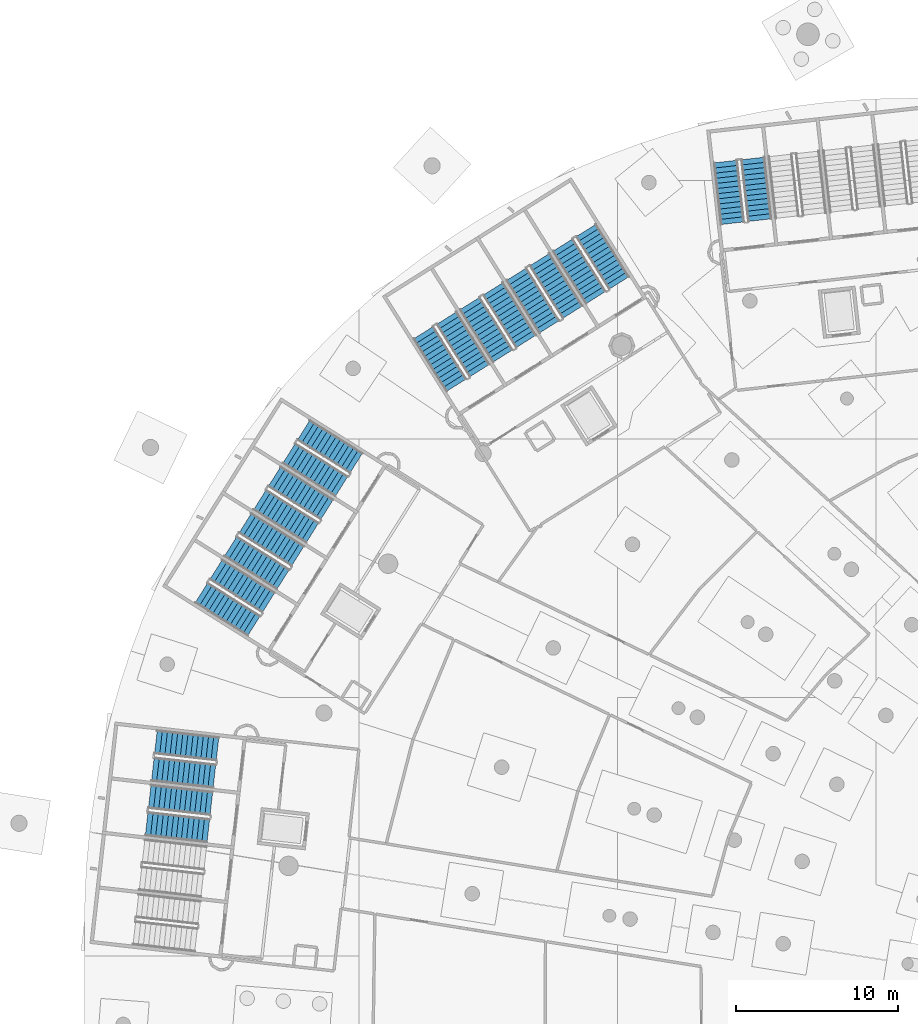
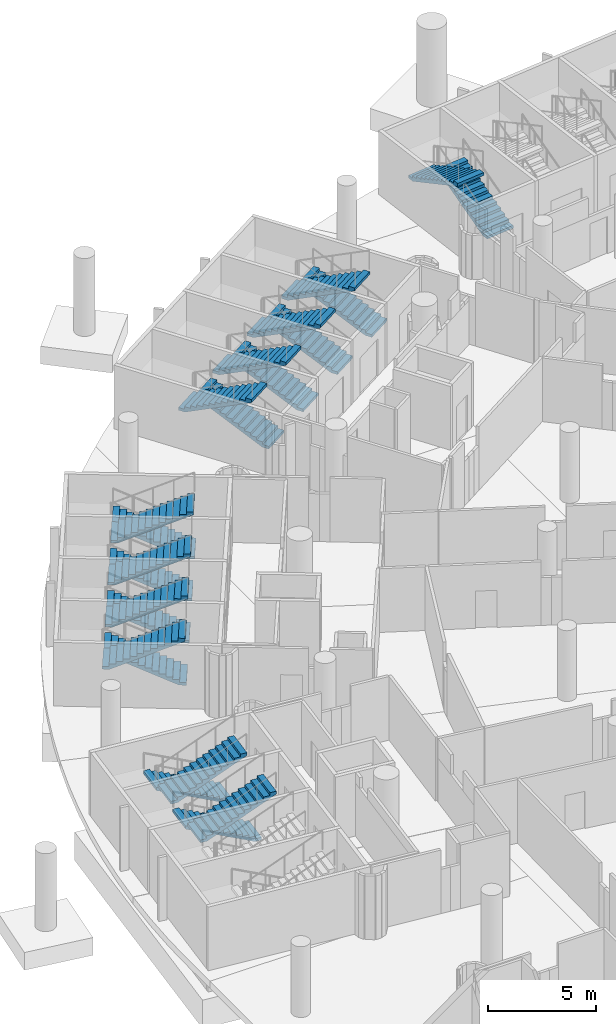
# One storey, part 104 of 142: 22 stair flights, 11 elements without a shape of their own.
"""IFC4 building model written with IfcOpenShell, lengths in metres."""

from ifc_helpers import new_model, si_unit, direction, frame, origin, place, context, subcontext, project, spatial, polyline, outline, extrude, material, type_object, element, aggregate, save


model = new_model("IFC4")

# Units and contexts
model_context = context("Model", 3, precision=1e-05, world=origin(), true_north=direction((0.0, 1.0)))
body_context = subcontext(model_context, "Body", "Model", "MODEL_VIEW")
ifc_project = project(units=[si_unit("LENGTHUNIT", "METRE"), si_unit("AREAUNIT", "SQUARE_METRE"), si_unit("VOLUMEUNIT", "CUBIC_METRE"), si_unit("PLANEANGLEUNIT", "RADIAN"), si_unit("MASSUNIT", "GRAM", prefix="KILO")], contexts=[model_context])

# Site, building, storey
site_placement = place(None, origin())
site = spatial("IfcSite", under=ifc_project, at=site_placement, CompositionType="ELEMENT")
building_placement = place(site_placement, origin())
building = spatial("IfcBuilding", under=site, at=building_placement, Name="Meseta Stadium", CompositionType="ELEMENT")
storey_placement = place(building_placement, frame((0.0, 0.0, -4.0)))
storey = spatial("IfcBuildingStorey", under=building, at=storey_placement, Name="B1", CompositionType="ELEMENT", Elevation=-4.0)

# Stair, stair flights
ifc_material_1 = material(Name="Concrete C40/50", Category="concrete")
stair_type = type_object("IfcStairType", Name="Exit stair 2 flights 154 mm risers", PredefinedType="HALF_TURN_STAIR", material=ifc_material_1)
stair_1_placement = place(storey_placement, origin())
stair_1 = element("IfcStair", 1, at=stair_1_placement, inside=storey, type_object=stair_type, Name="ST48 B1", PredefinedType="HALF_TURN_STAIR")
ifc_material_2 = material(Name="Concrete C40/50", Category="concrete")
stair_flight_type = type_object("IfcStairFlightType", Name="Exit stair flight 154 mm risers, 2 per storey", PredefinedType="STRAIGHT", material=ifc_material_2)
stair_flight_1_placement = place(storey_placement, frame((-55.183349609375, 93.545654296875, 0.0), z_axis=(0.0, 0.0, 1.0), x_axis=(-0.11196446867, 0.993712210731, 0.0)))
stair_flight_1 = element("IfcStairFlight", 2, at=stair_flight_1_placement, type_object=stair_flight_type, Name="ST48 B1 flight 1", NumberOfRisers=13, NumberOfTreads=12, PredefinedType="STRAIGHT", RiserHeight=0.153846154, TreadLength=0.32, context=body_context, shape_type="SweptSolid", body=[
    extrude(outline(polyline([(0.0, 0.0), (0.0, 0.15380859375), (0.320068359375, 0.15380859375), (0.320068359375, 0.3076171875), (0.639892578125, 0.3076171875), (0.639892578125, 0.46142578125), (0.9599609375, 0.46142578125), (0.9599609375, 0.615478515625), (1.280029296875, 0.615478515625), (1.280029296875, 0.769287109375), (1.60009765625, 0.769287109375), (1.60009765625, 0.923095703125), (1.919921875, 0.923095703125), (1.919921875, 1.076904296875), (2.239990234375, 1.076904296875), (2.239990234375, 1.230712890625), (2.56005859375, 1.230712890625), (2.56005859375, 1.384521484375), (2.8798828125, 1.384521484375), (2.8798828125, 1.53857421875), (3.199951171875, 1.53857421875), (3.199951171875, 1.6923828125), (3.52001953125, 1.6923828125), (3.52001953125, 1.84619140625), (3.840087890625, 1.84619140625), (3.840087890625, 1.679931640625), (0.345947265625, 0.0), (0.0, 0.0)])), frame((0.0, 0.75, 0.0), z_axis=(0.0, -1.0, 0.0), x_axis=(1.0, 0.0, 0.0)), (0.0, 0.0, 1.0), 1.5),
])
stair_flight_2_placement = place(storey_placement, frame((-57.302490234375, 97.171142578125, 2.0), z_axis=(0.0, 0.0, 1.0), x_axis=(0.11196446867, -0.993712210731, 0.0)))
stair_flight_2 = element("IfcStairFlight", 3, at=stair_flight_2_placement, type_object=stair_flight_type, Name="ST48 B1 flight 2", NumberOfRisers=13, NumberOfTreads=12, PredefinedType="STRAIGHT", RiserHeight=0.153846154, TreadLength=0.32, context=body_context, shape_type="SweptSolid", body=[
    extrude(outline(polyline([(0.0, 0.0), (0.0, 0.15380859375), (0.320068359375, 0.15380859375), (0.320068359375, 0.3076171875), (0.639892578125, 0.3076171875), (0.639892578125, 0.46142578125), (0.9599609375, 0.46142578125), (0.9599609375, 0.615478515625), (1.280029296875, 0.615478515625), (1.280029296875, 0.769287109375), (1.60009765625, 0.769287109375), (1.60009765625, 0.923095703125), (1.919921875, 0.923095703125), (1.919921875, 1.076904296875), (2.239990234375, 1.076904296875), (2.239990234375, 1.230712890625), (2.56005859375, 1.230712890625), (2.56005859375, 1.384521484375), (2.8798828125, 1.384521484375), (2.8798828125, 1.53857421875), (3.199951171875, 1.53857421875), (3.199951171875, 1.6923828125), (3.52001953125, 1.6923828125), (3.52001953125, 1.84619140625), (3.840087890625, 1.84619140625), (3.840087890625, 1.679931640625), (0.345947265625, 0.0), (0.0, 0.0)])), frame((0.0, 0.75, 0.0), z_axis=(0.0, -1.0, 0.0), x_axis=(1.0, 0.0, 0.0)), (0.0, 0.0, 1.0), 1.5),
])
aggregate(stair_1, [stair_flight_1, stair_flight_2])

stair_2_placement = place(storey_placement, origin())
stair_2 = element("IfcStair", 4, at=stair_2_placement, inside=storey, type_object=stair_type, Name="ST49 B1", PredefinedType="HALF_TURN_STAIR")
stair_flight_3_placement = place(storey_placement, frame((-63.892578125, 89.659423828125, 0.0), z_axis=(0.0, 0.0, 1.0), x_axis=(-0.532032074404, 0.846724200555, 0.0)))
stair_flight_3 = element("IfcStairFlight", 5, at=stair_flight_3_placement, type_object=stair_flight_type, Name="ST49 B1 flight 1", NumberOfRisers=13, NumberOfTreads=12, PredefinedType="STRAIGHT", RiserHeight=0.153846154, TreadLength=0.32, context=body_context, shape_type="SweptSolid", body=[
    extrude(outline(polyline([(0.0, 0.0), (0.0, 0.15380859375), (0.320068359375, 0.15380859375), (0.320068359375, 0.3076171875), (0.639892578125, 0.3076171875), (0.639892578125, 0.46142578125), (0.9599609375, 0.46142578125), (0.9599609375, 0.615478515625), (1.280029296875, 0.615478515625), (1.280029296875, 0.769287109375), (1.60009765625, 0.769287109375), (1.60009765625, 0.923095703125), (1.919921875, 0.923095703125), (1.919921875, 1.076904296875), (2.239990234375, 1.076904296875), (2.239990234375, 1.230712890625), (2.56005859375, 1.230712890625), (2.56005859375, 1.384521484375), (2.8798828125, 1.384521484375), (2.8798828125, 1.53857421875), (3.199951171875, 1.53857421875), (3.199951171875, 1.6923828125), (3.52001953125, 1.6923828125), (3.52001953125, 1.84619140625), (3.840087890625, 1.84619140625), (3.840087890625, 1.679931640625), (0.345947265625, 0.0), (0.0, 0.0)])), frame((0.0, 0.75, 0.0), z_axis=(0.0, -1.0, 0.0), x_axis=(1.0, 0.0, 0.0)), (0.0, 0.0, 1.0), 1.5),
])
stair_flight_4_placement = place(storey_placement, frame((-67.375, 92.00634765625, 2.0), z_axis=(0.0, 0.0, 1.0), x_axis=(0.532032074404, -0.846724200555, 0.0)))
stair_flight_4 = element("IfcStairFlight", 6, at=stair_flight_4_placement, type_object=stair_flight_type, Name="ST49 B1 flight 2", NumberOfRisers=13, NumberOfTreads=12, PredefinedType="STRAIGHT", RiserHeight=0.153846154, TreadLength=0.32, context=body_context, shape_type="SweptSolid", body=[
    extrude(outline(polyline([(0.0, 0.0), (0.0, 0.15380859375), (0.320068359375, 0.15380859375), (0.320068359375, 0.3076171875), (0.639892578125, 0.3076171875), (0.639892578125, 0.46142578125), (0.9599609375, 0.46142578125), (0.9599609375, 0.615478515625), (1.280029296875, 0.615478515625), (1.280029296875, 0.769287109375), (1.60009765625, 0.769287109375), (1.60009765625, 0.923095703125), (1.919921875, 0.923095703125), (1.919921875, 1.076904296875), (2.239990234375, 1.076904296875), (2.239990234375, 1.230712890625), (2.56005859375, 1.230712890625), (2.56005859375, 1.384521484375), (2.8798828125, 1.384521484375), (2.8798828125, 1.53857421875), (3.199951171875, 1.53857421875), (3.199951171875, 1.6923828125), (3.52001953125, 1.6923828125), (3.52001953125, 1.84619140625), (3.840087890625, 1.84619140625), (3.840087890625, 1.679931640625), (0.345947265625, 0.0), (0.0, 0.0)])), frame((0.0, 0.75, 0.0), z_axis=(0.0, -1.0, 0.0), x_axis=(1.0, 0.0, 0.0)), (0.0, 0.0, 1.0), 1.5),
])
aggregate(stair_2, [stair_flight_3, stair_flight_4])

stair_3_placement = place(storey_placement, origin())
stair_3 = element("IfcStair", 7, at=stair_3_placement, inside=storey, type_object=stair_type, Name="ST50 B1", PredefinedType="HALF_TURN_STAIR")
stair_flight_5_placement = place(storey_placement, frame((-66.771484375, 87.8505859375, 0.0), z_axis=(0.0, 0.0, 1.0), x_axis=(-0.532032074404, 0.846724200555, 0.0)))
stair_flight_5 = element("IfcStairFlight", 8, at=stair_flight_5_placement, type_object=stair_flight_type, Name="ST50 B1 flight 1", NumberOfRisers=13, NumberOfTreads=12, PredefinedType="STRAIGHT", RiserHeight=0.153846154, TreadLength=0.32, context=body_context, shape_type="SweptSolid", body=[
    extrude(outline(polyline([(0.0, 0.0), (0.0, 0.15380859375), (0.320068359375, 0.15380859375), (0.320068359375, 0.3076171875), (0.639892578125, 0.3076171875), (0.639892578125, 0.46142578125), (0.9599609375, 0.46142578125), (0.9599609375, 0.615478515625), (1.280029296875, 0.615478515625), (1.280029296875, 0.769287109375), (1.60009765625, 0.769287109375), (1.60009765625, 0.923095703125), (1.919921875, 0.923095703125), (1.919921875, 1.076904296875), (2.239990234375, 1.076904296875), (2.239990234375, 1.230712890625), (2.56005859375, 1.230712890625), (2.56005859375, 1.384521484375), (2.8798828125, 1.384521484375), (2.8798828125, 1.53857421875), (3.199951171875, 1.53857421875), (3.199951171875, 1.6923828125), (3.52001953125, 1.6923828125), (3.52001953125, 1.84619140625), (3.840087890625, 1.84619140625), (3.840087890625, 1.679931640625), (0.345947265625, 0.0), (0.0, 0.0)])), frame((0.0, 0.75, 0.0), z_axis=(0.0, -1.0, 0.0), x_axis=(1.0, 0.0, 0.0)), (0.0, 0.0, 1.0), 1.5),
])
stair_flight_6_placement = place(storey_placement, frame((-70.25390625, 90.197509765625, 2.0), z_axis=(0.0, 0.0, 1.0), x_axis=(0.532032074404, -0.846724200555, 0.0)))
stair_flight_6 = element("IfcStairFlight", 9, at=stair_flight_6_placement, type_object=stair_flight_type, Name="ST50 B1 flight 2", NumberOfRisers=13, NumberOfTreads=12, PredefinedType="STRAIGHT", RiserHeight=0.153846154, TreadLength=0.32, context=body_context, shape_type="SweptSolid", body=[
    extrude(outline(polyline([(0.0, 0.0), (0.0, 0.15380859375), (0.320068359375, 0.15380859375), (0.320068359375, 0.3076171875), (0.639892578125, 0.3076171875), (0.639892578125, 0.46142578125), (0.9599609375, 0.46142578125), (0.9599609375, 0.615478515625), (1.280029296875, 0.615478515625), (1.280029296875, 0.769287109375), (1.60009765625, 0.769287109375), (1.60009765625, 0.923095703125), (1.919921875, 0.923095703125), (1.919921875, 1.076904296875), (2.239990234375, 1.076904296875), (2.239990234375, 1.230712890625), (2.56005859375, 1.230712890625), (2.56005859375, 1.384521484375), (2.8798828125, 1.384521484375), (2.8798828125, 1.53857421875), (3.199951171875, 1.53857421875), (3.199951171875, 1.6923828125), (3.52001953125, 1.6923828125), (3.52001953125, 1.84619140625), (3.840087890625, 1.84619140625), (3.840087890625, 1.679931640625), (0.345947265625, 0.0), (0.0, 0.0)])), frame((0.0, 0.75, 0.0), z_axis=(0.0, -1.0, 0.0), x_axis=(1.0, 0.0, 0.0)), (0.0, 0.0, 1.0), 1.5),
])
aggregate(stair_3, [stair_flight_5, stair_flight_6])

stair_4_placement = place(storey_placement, origin())
stair_4 = element("IfcStair", 10, at=stair_4_placement, inside=storey, type_object=stair_type, Name="ST51 B1", PredefinedType="HALF_TURN_STAIR")
stair_flight_7_placement = place(storey_placement, frame((-69.650390625, 86.04150390625, 0.0), z_axis=(0.0, 0.0, 1.0), x_axis=(-0.532032074404, 0.846724200555, 0.0)))
stair_flight_7 = element("IfcStairFlight", 11, at=stair_flight_7_placement, type_object=stair_flight_type, Name="ST51 B1 flight 1", NumberOfRisers=13, NumberOfTreads=12, PredefinedType="STRAIGHT", RiserHeight=0.153846154, TreadLength=0.32, context=body_context, shape_type="SweptSolid", body=[
    extrude(outline(polyline([(0.0, 0.0), (0.0, 0.15380859375), (0.320068359375, 0.15380859375), (0.320068359375, 0.3076171875), (0.639892578125, 0.3076171875), (0.639892578125, 0.46142578125), (0.9599609375, 0.46142578125), (0.9599609375, 0.615478515625), (1.280029296875, 0.615478515625), (1.280029296875, 0.769287109375), (1.60009765625, 0.769287109375), (1.60009765625, 0.923095703125), (1.919921875, 0.923095703125), (1.919921875, 1.076904296875), (2.239990234375, 1.076904296875), (2.239990234375, 1.230712890625), (2.56005859375, 1.230712890625), (2.56005859375, 1.384521484375), (2.8798828125, 1.384521484375), (2.8798828125, 1.53857421875), (3.199951171875, 1.53857421875), (3.199951171875, 1.6923828125), (3.52001953125, 1.6923828125), (3.52001953125, 1.84619140625), (3.840087890625, 1.84619140625), (3.840087890625, 1.679931640625), (0.345947265625, 0.0), (0.0, 0.0)])), frame((0.0, 0.75, 0.0), z_axis=(0.0, -1.0, 0.0), x_axis=(1.0, 0.0, 0.0)), (0.0, 0.0, 1.0), 1.5),
])
stair_flight_8_placement = place(storey_placement, frame((-73.1328125, 88.388671875, 2.0), z_axis=(0.0, 0.0, 1.0), x_axis=(0.532032074404, -0.846724200555, 0.0)))
stair_flight_8 = element("IfcStairFlight", 12, at=stair_flight_8_placement, type_object=stair_flight_type, Name="ST51 B1 flight 2", NumberOfRisers=13, NumberOfTreads=12, PredefinedType="STRAIGHT", RiserHeight=0.153846154, TreadLength=0.32, context=body_context, shape_type="SweptSolid", body=[
    extrude(outline(polyline([(0.0, 0.0), (0.0, 0.15380859375), (0.320068359375, 0.15380859375), (0.320068359375, 0.3076171875), (0.639892578125, 0.3076171875), (0.639892578125, 0.46142578125), (0.9599609375, 0.46142578125), (0.9599609375, 0.615478515625), (1.280029296875, 0.615478515625), (1.280029296875, 0.769287109375), (1.60009765625, 0.769287109375), (1.60009765625, 0.923095703125), (1.919921875, 0.923095703125), (1.919921875, 1.076904296875), (2.239990234375, 1.076904296875), (2.239990234375, 1.230712890625), (2.56005859375, 1.230712890625), (2.56005859375, 1.384521484375), (2.8798828125, 1.384521484375), (2.8798828125, 1.53857421875), (3.199951171875, 1.53857421875), (3.199951171875, 1.6923828125), (3.52001953125, 1.6923828125), (3.52001953125, 1.84619140625), (3.840087890625, 1.84619140625), (3.840087890625, 1.679931640625), (0.345947265625, 0.0), (0.0, 0.0)])), frame((0.0, 0.75, 0.0), z_axis=(0.0, -1.0, 0.0), x_axis=(1.0, 0.0, 0.0)), (0.0, 0.0, 1.0), 1.5),
])
aggregate(stair_4, [stair_flight_7, stair_flight_8])

stair_5_placement = place(storey_placement, origin())
stair_5 = element("IfcStair", 13, at=stair_5_placement, inside=storey, type_object=stair_type, Name="ST52 B1", PredefinedType="HALF_TURN_STAIR")
stair_flight_9_placement = place(storey_placement, frame((-72.529052734375, 84.232666015625, 0.0), z_axis=(0.0, 0.0, 1.0), x_axis=(-0.532032074404, 0.846724200555, 0.0)))
stair_flight_9 = element("IfcStairFlight", 14, at=stair_flight_9_placement, type_object=stair_flight_type, Name="ST52 B1 flight 1", NumberOfRisers=13, NumberOfTreads=12, PredefinedType="STRAIGHT", RiserHeight=0.153846154, TreadLength=0.32, context=body_context, shape_type="SweptSolid", body=[
    extrude(outline(polyline([(0.0, 0.0), (0.0, 0.15380859375), (0.320068359375, 0.15380859375), (0.320068359375, 0.3076171875), (0.639892578125, 0.3076171875), (0.639892578125, 0.46142578125), (0.9599609375, 0.46142578125), (0.9599609375, 0.615478515625), (1.280029296875, 0.615478515625), (1.280029296875, 0.769287109375), (1.60009765625, 0.769287109375), (1.60009765625, 0.923095703125), (1.919921875, 0.923095703125), (1.919921875, 1.076904296875), (2.239990234375, 1.076904296875), (2.239990234375, 1.230712890625), (2.56005859375, 1.230712890625), (2.56005859375, 1.384521484375), (2.8798828125, 1.384521484375), (2.8798828125, 1.53857421875), (3.199951171875, 1.53857421875), (3.199951171875, 1.6923828125), (3.52001953125, 1.6923828125), (3.52001953125, 1.84619140625), (3.840087890625, 1.84619140625), (3.840087890625, 1.679931640625), (0.345947265625, 0.0), (0.0, 0.0)])), frame((0.0, 0.75, 0.0), z_axis=(0.0, -1.0, 0.0), x_axis=(1.0, 0.0, 0.0)), (0.0, 0.0, 1.0), 1.5),
])
stair_flight_10_placement = place(storey_placement, frame((-76.011474609375, 86.57958984375, 2.0), z_axis=(0.0, 0.0, 1.0), x_axis=(0.532032074404, -0.846724200555, 0.0)))
stair_flight_10 = element("IfcStairFlight", 15, at=stair_flight_10_placement, type_object=stair_flight_type, Name="ST52 B1 flight 2", NumberOfRisers=13, NumberOfTreads=12, PredefinedType="STRAIGHT", RiserHeight=0.153846154, TreadLength=0.32, context=body_context, shape_type="SweptSolid", body=[
    extrude(outline(polyline([(0.0, 0.0), (0.0, 0.15380859375), (0.320068359375, 0.15380859375), (0.320068359375, 0.3076171875), (0.639892578125, 0.3076171875), (0.639892578125, 0.46142578125), (0.9599609375, 0.46142578125), (0.9599609375, 0.615478515625), (1.280029296875, 0.615478515625), (1.280029296875, 0.769287109375), (1.60009765625, 0.769287109375), (1.60009765625, 0.923095703125), (1.919921875, 0.923095703125), (1.919921875, 1.076904296875), (2.239990234375, 1.076904296875), (2.239990234375, 1.230712890625), (2.56005859375, 1.230712890625), (2.56005859375, 1.384521484375), (2.8798828125, 1.384521484375), (2.8798828125, 1.53857421875), (3.199951171875, 1.53857421875), (3.199951171875, 1.6923828125), (3.52001953125, 1.6923828125), (3.52001953125, 1.84619140625), (3.840087890625, 1.84619140625), (3.840087890625, 1.679931640625), (0.345947265625, 0.0), (0.0, 0.0)])), frame((0.0, 0.75, 0.0), z_axis=(0.0, -1.0, 0.0), x_axis=(1.0, 0.0, 0.0)), (0.0, 0.0, 1.0), 1.5),
])
aggregate(stair_5, [stair_flight_9, stair_flight_10])

stair_6_placement = place(storey_placement, origin())
stair_6 = element("IfcStair", 16, at=stair_6_placement, inside=storey, type_object=stair_type, Name="ST53 B1", PredefinedType="HALF_TURN_STAIR")
stair_flight_11_placement = place(storey_placement, frame((-80.175048828125, 78.500732421875, 0.0), z_axis=(0.0, 0.0, 1.0), x_axis=(-0.846724200555, 0.532032074404, 0.0)))
stair_flight_11 = element("IfcStairFlight", 17, at=stair_flight_11_placement, type_object=stair_flight_type, Name="ST53 B1 flight 1", NumberOfRisers=13, NumberOfTreads=12, PredefinedType="STRAIGHT", RiserHeight=0.153846154, TreadLength=0.32, context=body_context, shape_type="SweptSolid", body=[
    extrude(outline(polyline([(0.0, 0.0), (0.0, 0.15380859375), (0.320068359375, 0.15380859375), (0.320068359375, 0.3076171875), (0.639892578125, 0.3076171875), (0.639892578125, 0.46142578125), (0.9599609375, 0.46142578125), (0.9599609375, 0.615478515625), (1.280029296875, 0.615478515625), (1.280029296875, 0.769287109375), (1.60009765625, 0.769287109375), (1.60009765625, 0.923095703125), (1.919921875, 0.923095703125), (1.919921875, 1.076904296875), (2.239990234375, 1.076904296875), (2.239990234375, 1.230712890625), (2.56005859375, 1.230712890625), (2.56005859375, 1.384521484375), (2.8798828125, 1.384521484375), (2.8798828125, 1.53857421875), (3.199951171875, 1.53857421875), (3.199951171875, 1.6923828125), (3.52001953125, 1.6923828125), (3.52001953125, 1.84619140625), (3.840087890625, 1.84619140625), (3.840087890625, 1.679931640625), (0.345947265625, 0.0), (0.0, 0.0)])), frame((0.0, 0.75, 0.0), z_axis=(0.0, -1.0, 0.0), x_axis=(1.0, 0.0, 0.0)), (0.0, 0.0, 1.0), 1.5),
])
stair_flight_12_placement = place(storey_placement, frame((-84.330810546875, 79.104248046875, 2.0), z_axis=(0.0, 0.0, 1.0), x_axis=(0.846724200555, -0.532032074404, 0.0)))
stair_flight_12 = element("IfcStairFlight", 18, at=stair_flight_12_placement, type_object=stair_flight_type, Name="ST53 B1 flight 2", NumberOfRisers=13, NumberOfTreads=12, PredefinedType="STRAIGHT", RiserHeight=0.153846154, TreadLength=0.32, context=body_context, shape_type="SweptSolid", body=[
    extrude(outline(polyline([(0.0, 0.0), (0.0, 0.15380859375), (0.320068359375, 0.15380859375), (0.320068359375, 0.3076171875), (0.639892578125, 0.3076171875), (0.639892578125, 0.46142578125), (0.9599609375, 0.46142578125), (0.9599609375, 0.615478515625), (1.280029296875, 0.615478515625), (1.280029296875, 0.769287109375), (1.60009765625, 0.769287109375), (1.60009765625, 0.923095703125), (1.919921875, 0.923095703125), (1.919921875, 1.076904296875), (2.239990234375, 1.076904296875), (2.239990234375, 1.230712890625), (2.56005859375, 1.230712890625), (2.56005859375, 1.384521484375), (2.8798828125, 1.384521484375), (2.8798828125, 1.53857421875), (3.199951171875, 1.53857421875), (3.199951171875, 1.6923828125), (3.52001953125, 1.6923828125), (3.52001953125, 1.84619140625), (3.840087890625, 1.84619140625), (3.840087890625, 1.679931640625), (0.345947265625, 0.0), (0.0, 0.0)])), frame((0.0, 0.75, 0.0), z_axis=(0.0, -1.0, 0.0), x_axis=(1.0, 0.0, 0.0)), (0.0, 0.0, 1.0), 1.5),
])
aggregate(stair_6, [stair_flight_11, stair_flight_12])

stair_7_placement = place(storey_placement, origin())
stair_7 = element("IfcStair", 19, at=stair_7_placement, inside=storey, type_object=stair_type, Name="ST54 B1", PredefinedType="HALF_TURN_STAIR")
stair_flight_13_placement = place(storey_placement, frame((-81.98388671875, 75.621826171875, 0.0), z_axis=(0.0, 0.0, 1.0), x_axis=(-0.846724200555, 0.532032074404, 0.0)))
stair_flight_13 = element("IfcStairFlight", 20, at=stair_flight_13_placement, type_object=stair_flight_type, Name="ST54 B1 flight 1", NumberOfRisers=13, NumberOfTreads=12, PredefinedType="STRAIGHT", RiserHeight=0.153846154, TreadLength=0.32, context=body_context, shape_type="SweptSolid", body=[
    extrude(outline(polyline([(0.0, 0.0), (0.0, 0.15380859375), (0.320068359375, 0.15380859375), (0.320068359375, 0.3076171875), (0.639892578125, 0.3076171875), (0.639892578125, 0.46142578125), (0.9599609375, 0.46142578125), (0.9599609375, 0.615478515625), (1.280029296875, 0.615478515625), (1.280029296875, 0.769287109375), (1.60009765625, 0.769287109375), (1.60009765625, 0.923095703125), (1.919921875, 0.923095703125), (1.919921875, 1.076904296875), (2.239990234375, 1.076904296875), (2.239990234375, 1.230712890625), (2.56005859375, 1.230712890625), (2.56005859375, 1.384521484375), (2.8798828125, 1.384521484375), (2.8798828125, 1.53857421875), (3.199951171875, 1.53857421875), (3.199951171875, 1.6923828125), (3.52001953125, 1.6923828125), (3.52001953125, 1.84619140625), (3.840087890625, 1.84619140625), (3.840087890625, 1.679931640625), (0.345947265625, 0.0), (0.0, 0.0)])), frame((0.0, 0.75, 0.0), z_axis=(0.0, -1.0, 0.0), x_axis=(1.0, 0.0, 0.0)), (0.0, 0.0, 1.0), 1.5),
])
stair_flight_14_placement = place(storey_placement, frame((-86.1396484375, 76.225341796875, 2.0), z_axis=(0.0, 0.0, 1.0), x_axis=(0.846724200555, -0.532032074404, 0.0)))
stair_flight_14 = element("IfcStairFlight", 21, at=stair_flight_14_placement, type_object=stair_flight_type, Name="ST54 B1 flight 2", NumberOfRisers=13, NumberOfTreads=12, PredefinedType="STRAIGHT", RiserHeight=0.153846154, TreadLength=0.32, context=body_context, shape_type="SweptSolid", body=[
    extrude(outline(polyline([(0.0, 0.0), (0.0, 0.15380859375), (0.320068359375, 0.15380859375), (0.320068359375, 0.3076171875), (0.639892578125, 0.3076171875), (0.639892578125, 0.46142578125), (0.9599609375, 0.46142578125), (0.9599609375, 0.615478515625), (1.280029296875, 0.615478515625), (1.280029296875, 0.769287109375), (1.60009765625, 0.769287109375), (1.60009765625, 0.923095703125), (1.919921875, 0.923095703125), (1.919921875, 1.076904296875), (2.239990234375, 1.076904296875), (2.239990234375, 1.230712890625), (2.56005859375, 1.230712890625), (2.56005859375, 1.384521484375), (2.8798828125, 1.384521484375), (2.8798828125, 1.53857421875), (3.199951171875, 1.53857421875), (3.199951171875, 1.6923828125), (3.52001953125, 1.6923828125), (3.52001953125, 1.84619140625), (3.840087890625, 1.84619140625), (3.840087890625, 1.679931640625), (0.345947265625, 0.0), (0.0, 0.0)])), frame((0.0, 0.75, 0.0), z_axis=(0.0, -1.0, 0.0), x_axis=(1.0, 0.0, 0.0)), (0.0, 0.0, 1.0), 1.5),
])
aggregate(stair_7, [stair_flight_13, stair_flight_14])

stair_8_placement = place(storey_placement, origin())
stair_8 = element("IfcStair", 22, at=stair_8_placement, inside=storey, type_object=stair_type, Name="ST55 B1", PredefinedType="HALF_TURN_STAIR")
stair_flight_15_placement = place(storey_placement, frame((-83.792724609375, 72.742919921875, 0.0), z_axis=(0.0, 0.0, 1.0), x_axis=(-0.846724200555, 0.532032074404, 0.0)))
stair_flight_15 = element("IfcStairFlight", 23, at=stair_flight_15_placement, type_object=stair_flight_type, Name="ST55 B1 flight 1", NumberOfRisers=13, NumberOfTreads=12, PredefinedType="STRAIGHT", RiserHeight=0.153846154, TreadLength=0.32, context=body_context, shape_type="SweptSolid", body=[
    extrude(outline(polyline([(0.0, 0.0), (0.0, 0.15380859375), (0.320068359375, 0.15380859375), (0.320068359375, 0.3076171875), (0.639892578125, 0.3076171875), (0.639892578125, 0.46142578125), (0.9599609375, 0.46142578125), (0.9599609375, 0.615478515625), (1.280029296875, 0.615478515625), (1.280029296875, 0.769287109375), (1.60009765625, 0.769287109375), (1.60009765625, 0.923095703125), (1.919921875, 0.923095703125), (1.919921875, 1.076904296875), (2.239990234375, 1.076904296875), (2.239990234375, 1.230712890625), (2.56005859375, 1.230712890625), (2.56005859375, 1.384521484375), (2.8798828125, 1.384521484375), (2.8798828125, 1.53857421875), (3.199951171875, 1.53857421875), (3.199951171875, 1.6923828125), (3.52001953125, 1.6923828125), (3.52001953125, 1.84619140625), (3.840087890625, 1.84619140625), (3.840087890625, 1.679931640625), (0.345947265625, 0.0), (0.0, 0.0)])), frame((0.0, 0.75, 0.0), z_axis=(0.0, -1.0, 0.0), x_axis=(1.0, 0.0, 0.0)), (0.0, 0.0, 1.0), 1.5),
])
stair_flight_16_placement = place(storey_placement, frame((-87.94873046875, 73.346435546875, 2.0), z_axis=(0.0, 0.0, 1.0), x_axis=(0.846724200555, -0.532032074404, 0.0)))
stair_flight_16 = element("IfcStairFlight", 24, at=stair_flight_16_placement, type_object=stair_flight_type, Name="ST55 B1 flight 2", NumberOfRisers=13, NumberOfTreads=12, PredefinedType="STRAIGHT", RiserHeight=0.153846154, TreadLength=0.32, context=body_context, shape_type="SweptSolid", body=[
    extrude(outline(polyline([(0.0, 0.0), (0.0, 0.15380859375), (0.320068359375, 0.15380859375), (0.320068359375, 0.3076171875), (0.639892578125, 0.3076171875), (0.639892578125, 0.46142578125), (0.9599609375, 0.46142578125), (0.9599609375, 0.615478515625), (1.280029296875, 0.615478515625), (1.280029296875, 0.769287109375), (1.60009765625, 0.769287109375), (1.60009765625, 0.923095703125), (1.919921875, 0.923095703125), (1.919921875, 1.076904296875), (2.239990234375, 1.076904296875), (2.239990234375, 1.230712890625), (2.56005859375, 1.230712890625), (2.56005859375, 1.384521484375), (2.8798828125, 1.384521484375), (2.8798828125, 1.53857421875), (3.199951171875, 1.53857421875), (3.199951171875, 1.6923828125), (3.52001953125, 1.6923828125), (3.52001953125, 1.84619140625), (3.840087890625, 1.84619140625), (3.840087890625, 1.679931640625), (0.345947265625, 0.0), (0.0, 0.0)])), frame((0.0, 0.75, 0.0), z_axis=(0.0, -1.0, 0.0), x_axis=(1.0, 0.0, 0.0)), (0.0, 0.0, 1.0), 1.5),
])
aggregate(stair_8, [stair_flight_15, stair_flight_16])

stair_9_placement = place(storey_placement, origin())
stair_9 = element("IfcStair", 25, at=stair_9_placement, inside=storey, type_object=stair_type, Name="ST56 B1", PredefinedType="HALF_TURN_STAIR")
stair_flight_17_placement = place(storey_placement, frame((-85.6015625, 69.864013671875, 0.0), z_axis=(0.0, 0.0, 1.0), x_axis=(-0.846724200555, 0.532032074404, 0.0)))
stair_flight_17 = element("IfcStairFlight", 26, at=stair_flight_17_placement, type_object=stair_flight_type, Name="ST56 B1 flight 1", NumberOfRisers=13, NumberOfTreads=12, PredefinedType="STRAIGHT", RiserHeight=0.153846154, TreadLength=0.32, context=body_context, shape_type="SweptSolid", body=[
    extrude(outline(polyline([(0.0, 0.0), (0.0, 0.15380859375), (0.320068359375, 0.15380859375), (0.320068359375, 0.3076171875), (0.639892578125, 0.3076171875), (0.639892578125, 0.46142578125), (0.9599609375, 0.46142578125), (0.9599609375, 0.615478515625), (1.280029296875, 0.615478515625), (1.280029296875, 0.769287109375), (1.60009765625, 0.769287109375), (1.60009765625, 0.923095703125), (1.919921875, 0.923095703125), (1.919921875, 1.076904296875), (2.239990234375, 1.076904296875), (2.239990234375, 1.230712890625), (2.56005859375, 1.230712890625), (2.56005859375, 1.384521484375), (2.8798828125, 1.384521484375), (2.8798828125, 1.53857421875), (3.199951171875, 1.53857421875), (3.199951171875, 1.6923828125), (3.52001953125, 1.6923828125), (3.52001953125, 1.84619140625), (3.840087890625, 1.84619140625), (3.840087890625, 1.679931640625), (0.345947265625, 0.0), (0.0, 0.0)])), frame((0.0, 0.75, 0.0), z_axis=(0.0, -1.0, 0.0), x_axis=(1.0, 0.0, 0.0)), (0.0, 0.0, 1.0), 1.5),
])
stair_flight_18_placement = place(storey_placement, frame((-89.757568359375, 70.467529296875, 2.0), z_axis=(0.0, 0.0, 1.0), x_axis=(0.846724200555, -0.532032074404, 0.0)))
stair_flight_18 = element("IfcStairFlight", 27, at=stair_flight_18_placement, type_object=stair_flight_type, Name="ST56 B1 flight 2", NumberOfRisers=13, NumberOfTreads=12, PredefinedType="STRAIGHT", RiserHeight=0.153846154, TreadLength=0.32, context=body_context, shape_type="SweptSolid", body=[
    extrude(outline(polyline([(0.0, 0.0), (0.0, 0.15380859375), (0.320068359375, 0.15380859375), (0.320068359375, 0.3076171875), (0.639892578125, 0.3076171875), (0.639892578125, 0.46142578125), (0.9599609375, 0.46142578125), (0.9599609375, 0.615478515625), (1.280029296875, 0.615478515625), (1.280029296875, 0.769287109375), (1.60009765625, 0.769287109375), (1.60009765625, 0.923095703125), (1.919921875, 0.923095703125), (1.919921875, 1.076904296875), (2.239990234375, 1.076904296875), (2.239990234375, 1.230712890625), (2.56005859375, 1.230712890625), (2.56005859375, 1.384521484375), (2.8798828125, 1.384521484375), (2.8798828125, 1.53857421875), (3.199951171875, 1.53857421875), (3.199951171875, 1.6923828125), (3.52001953125, 1.6923828125), (3.52001953125, 1.84619140625), (3.840087890625, 1.84619140625), (3.840087890625, 1.679931640625), (0.345947265625, 0.0), (0.0, 0.0)])), frame((0.0, 0.75, 0.0), z_axis=(0.0, -1.0, 0.0), x_axis=(1.0, 0.0, 0.0)), (0.0, 0.0, 1.0), 1.5),
])
aggregate(stair_9, [stair_flight_17, stair_flight_18])

stair_10_placement = place(storey_placement, origin())
stair_10 = element("IfcStair", 28, at=stair_10_placement, inside=storey, type_object=stair_type, Name="ST57 B1", PredefinedType="HALF_TURN_STAIR")
stair_flight_19_placement = place(storey_placement, frame((-88.759033203125, 60.805419921875, 0.0), z_axis=(0.0, 0.0, 1.0), x_axis=(-0.993712210731, 0.11196446867, 0.0)))
stair_flight_19 = element("IfcStairFlight", 29, at=stair_flight_19_placement, type_object=stair_flight_type, Name="ST57 B1 flight 1", NumberOfRisers=13, NumberOfTreads=12, PredefinedType="STRAIGHT", RiserHeight=0.153846154, TreadLength=0.32, context=body_context, shape_type="SweptSolid", body=[
    extrude(outline(polyline([(0.0, 0.0), (0.0, 0.15380859375), (0.320068359375, 0.15380859375), (0.320068359375, 0.3076171875), (0.639892578125, 0.3076171875), (0.639892578125, 0.46142578125), (0.9599609375, 0.46142578125), (0.9599609375, 0.615478515625), (1.280029296875, 0.615478515625), (1.280029296875, 0.769287109375), (1.60009765625, 0.769287109375), (1.60009765625, 0.923095703125), (1.919921875, 0.923095703125), (1.919921875, 1.076904296875), (2.239990234375, 1.076904296875), (2.239990234375, 1.230712890625), (2.56005859375, 1.230712890625), (2.56005859375, 1.384521484375), (2.8798828125, 1.384521484375), (2.8798828125, 1.53857421875), (3.199951171875, 1.53857421875), (3.199951171875, 1.6923828125), (3.52001953125, 1.6923828125), (3.52001953125, 1.84619140625), (3.840087890625, 1.84619140625), (3.840087890625, 1.679931640625), (0.345947265625, 0.0), (0.0, 0.0)])), frame((0.0, 0.75, 0.0), z_axis=(0.0, -1.0, 0.0), x_axis=(1.0, 0.0, 0.0)), (0.0, 0.0, 1.0), 1.5),
])
stair_flight_20_placement = place(storey_placement, frame((-92.76513671875, 59.546142578125, 2.0), z_axis=(0.0, 0.0, 1.0), x_axis=(0.993712210731, -0.11196446867, 0.0)))
stair_flight_20 = element("IfcStairFlight", 30, at=stair_flight_20_placement, type_object=stair_flight_type, Name="ST57 B1 flight 2", NumberOfRisers=13, NumberOfTreads=12, PredefinedType="STRAIGHT", RiserHeight=0.153846154, TreadLength=0.32, context=body_context, shape_type="SweptSolid", body=[
    extrude(outline(polyline([(0.0, 0.0), (0.0, 0.15380859375), (0.320068359375, 0.15380859375), (0.320068359375, 0.3076171875), (0.639892578125, 0.3076171875), (0.639892578125, 0.46142578125), (0.9599609375, 0.46142578125), (0.9599609375, 0.615478515625), (1.280029296875, 0.615478515625), (1.280029296875, 0.769287109375), (1.60009765625, 0.769287109375), (1.60009765625, 0.923095703125), (1.919921875, 0.923095703125), (1.919921875, 1.076904296875), (2.239990234375, 1.076904296875), (2.239990234375, 1.230712890625), (2.56005859375, 1.230712890625), (2.56005859375, 1.384521484375), (2.8798828125, 1.384521484375), (2.8798828125, 1.53857421875), (3.199951171875, 1.53857421875), (3.199951171875, 1.6923828125), (3.52001953125, 1.6923828125), (3.52001953125, 1.84619140625), (3.840087890625, 1.84619140625), (3.840087890625, 1.679931640625), (0.345947265625, 0.0), (0.0, 0.0)])), frame((0.0, 0.75, 0.0), z_axis=(0.0, -1.0, 0.0), x_axis=(1.0, 0.0, 0.0)), (0.0, 0.0, 1.0), 1.5),
])
aggregate(stair_10, [stair_flight_19, stair_flight_20])

stair_11_placement = place(storey_placement, origin())
stair_11 = element("IfcStair", 31, at=stair_11_placement, inside=storey, type_object=stair_type, Name="ST58 B1", PredefinedType="HALF_TURN_STAIR")
stair_flight_21_placement = place(storey_placement, frame((-89.1396484375, 57.4267578125, 0.0), z_axis=(0.0, 0.0, 1.0), x_axis=(-0.993712210731, 0.11196446867, 0.0)))
stair_flight_21 = element("IfcStairFlight", 32, at=stair_flight_21_placement, type_object=stair_flight_type, Name="ST58 B1 flight 1", NumberOfRisers=13, NumberOfTreads=12, PredefinedType="STRAIGHT", RiserHeight=0.153846154, TreadLength=0.32, context=body_context, shape_type="SweptSolid", body=[
    extrude(outline(polyline([(0.0, 0.0), (0.0, 0.15380859375), (0.320068359375, 0.15380859375), (0.320068359375, 0.3076171875), (0.639892578125, 0.3076171875), (0.639892578125, 0.46142578125), (0.9599609375, 0.46142578125), (0.9599609375, 0.615478515625), (1.280029296875, 0.615478515625), (1.280029296875, 0.769287109375), (1.60009765625, 0.769287109375), (1.60009765625, 0.923095703125), (1.919921875, 0.923095703125), (1.919921875, 1.076904296875), (2.239990234375, 1.076904296875), (2.239990234375, 1.230712890625), (2.56005859375, 1.230712890625), (2.56005859375, 1.384521484375), (2.8798828125, 1.384521484375), (2.8798828125, 1.53857421875), (3.199951171875, 1.53857421875), (3.199951171875, 1.6923828125), (3.52001953125, 1.6923828125), (3.52001953125, 1.84619140625), (3.840087890625, 1.84619140625), (3.840087890625, 1.679931640625), (0.345947265625, 0.0), (0.0, 0.0)])), frame((0.0, 0.75, 0.0), z_axis=(0.0, -1.0, 0.0), x_axis=(1.0, 0.0, 0.0)), (0.0, 0.0, 1.0), 1.5),
])
stair_flight_22_placement = place(storey_placement, frame((-93.14599609375, 56.16748046875, 2.0), z_axis=(0.0, 0.0, 1.0), x_axis=(0.993712210731, -0.11196446867, 0.0)))
stair_flight_22 = element("IfcStairFlight", 33, at=stair_flight_22_placement, type_object=stair_flight_type, Name="ST58 B1 flight 2", NumberOfRisers=13, NumberOfTreads=12, PredefinedType="STRAIGHT", RiserHeight=0.153846154, TreadLength=0.32, context=body_context, shape_type="SweptSolid", body=[
    extrude(outline(polyline([(0.0, 0.0), (0.0, 0.15380859375), (0.320068359375, 0.15380859375), (0.320068359375, 0.3076171875), (0.639892578125, 0.3076171875), (0.639892578125, 0.46142578125), (0.9599609375, 0.46142578125), (0.9599609375, 0.615478515625), (1.280029296875, 0.615478515625), (1.280029296875, 0.769287109375), (1.60009765625, 0.769287109375), (1.60009765625, 0.923095703125), (1.919921875, 0.923095703125), (1.919921875, 1.076904296875), (2.239990234375, 1.076904296875), (2.239990234375, 1.230712890625), (2.56005859375, 1.230712890625), (2.56005859375, 1.384521484375), (2.8798828125, 1.384521484375), (2.8798828125, 1.53857421875), (3.199951171875, 1.53857421875), (3.199951171875, 1.6923828125), (3.52001953125, 1.6923828125), (3.52001953125, 1.84619140625), (3.840087890625, 1.84619140625), (3.840087890625, 1.679931640625), (0.345947265625, 0.0), (0.0, 0.0)])), frame((0.0, 0.75, 0.0), z_axis=(0.0, -1.0, 0.0), x_axis=(1.0, 0.0, 0.0)), (0.0, 0.0, 1.0), 1.5),
])
aggregate(stair_11, [stair_flight_21, stair_flight_22])

save(model, "model.ifc")
